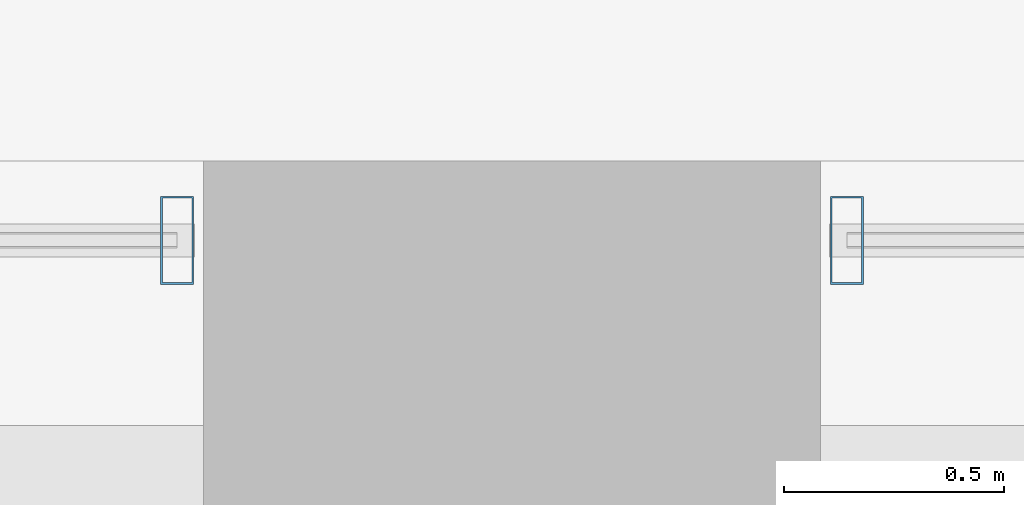
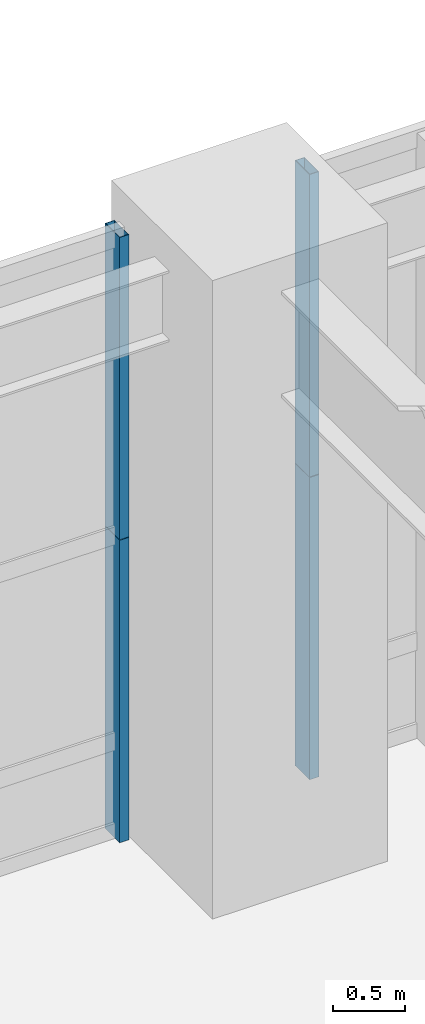
# One storey, part 16 of 32: 4 members, 2 elements without a shape of their own.
"""IFC4 building model written with IfcOpenShell, lengths in metres."""

from ifc_helpers import new_model, si_unit, direction, frame, origin, origin_2d, place, context, subcontext, project, spatial, hollow_rectangle, extrude, source, transform, mapped, material, layer, layer_set, material_profile, profile_set, type_object, element, aggregate, save


model = new_model("IFC4")

# Units and contexts
model_context = context("Model", 3, precision=1e-05, world=origin(), true_north=direction((0.0, 1.0)))
body_context = subcontext(model_context, "Body", "Model", "MODEL_VIEW")
ifc_project = project(units=[si_unit("LENGTHUNIT", "METRE"), si_unit("AREAUNIT", "SQUARE_METRE"), si_unit("VOLUMEUNIT", "CUBIC_METRE"), si_unit("PLANEANGLEUNIT", "RADIAN"), si_unit("MASSUNIT", "GRAM", prefix="KILO"), si_unit("THERMODYNAMICTEMPERATUREUNIT", "KELVIN"), si_unit("POWERUNIT", "WATT")], contexts=[model_context])

# Site, building, storey
site_placement = place(None, origin())
site = spatial("IfcSite", under=ifc_project, at=site_placement, CompositionType="ELEMENT")
building_placement = place(site_placement, origin())
building = spatial("IfcBuilding", under=site, at=building_placement, Name="Yuzanri Waterfront Tower", CompositionType="ELEMENT")
storey_placement = place(building_placement, origin())
storey = spatial("IfcBuildingStorey", under=building, at=storey_placement, Name="L01", CompositionType="ELEMENT", Elevation=0.0)

# Curtain wall, members
ifc_material_1 = material(Name="Anodized Architectural Bronze", Category="metal")
ifc_layer = layer(ifc_material_1, 0.159912109375)
ifc_layer_set = layer_set([ifc_layer], Name="Anodized Architectural Bronze")
curtain_wall_type = type_object("IfcCurtainWallType", Name="Anodized Bronze Podium Waterfront Double-Height Unitized Curtain Wall 8400", PredefinedType="NOTDEFINED", material=ifc_layer_set)
curtain_wall_1_placement = place(storey_placement, origin())
curtain_wall_1 = element("IfcCurtainWall", 1, at=curtain_wall_1_placement, inside=storey, type_object=curtain_wall_type, Name="L01 Curtain Wall CW-L01-N1", PredefinedType="NOTDEFINED")
ifc_material_2 = material(Name="Anodized Architectural Bronze", Category="metal")
ifc_material_profile = material_profile(ifc_material_2, hollow_rectangle(XDim=0.074951171875, YDim=0.199951171875, WallThickness=0.00390625, at=origin_2d()), Name="CWM 75x200")
ifc_profile_set = profile_set([ifc_material_profile], Name="Anodized Architectural Bronze")
member_type = type_object("IfcMemberType", Name="Anodized Bronze Primary Curtain-Wall Mullion 75x200", PredefinedType="MULLION", material=ifc_profile_set)
shared_shape = source(origin(), body_context, "Body", "SweptSolid", [
    extrude(hollow_rectangle(XDim=0.074951171875, YDim=0.199951171875, WallThickness=0.00390625, at=origin_2d()), origin(), (0.0, 0.0, 1.0), 2.55810546875),
])
member_1_placement = place(storey_placement, frame((36.239990234375, 49.6201171875, 0.0), z_axis=(0.0, 0.0, 1.0), x_axis=(1.0, 0.0, 0.0)))
member_1 = element("IfcMember", 2, at=member_1_placement, type_object=member_type, Name="CW-L01-N1 Lower Mullion 01", PredefinedType="MULLION", context=body_context, shape_type="MappedRepresentation", body=[
    mapped(shared_shape, transform((0.0, 0.0, 0.0), scale=1.0)),
])
member_2_placement = place(storey_placement, frame((36.239990234375, 49.6201171875, 2.56201171875), z_axis=(0.0, 0.0, 1.0), x_axis=(1.0, 0.0, 0.0)))
member_2 = element("IfcMember", 3, at=member_2_placement, type_object=member_type, Name="CW-L01-N1 Upper Mullion 01", PredefinedType="MULLION", context=body_context, shape_type="MappedRepresentation", body=[
    mapped(shared_shape, transform((0.0, 0.0, 0.0), scale=1.0)),
])
aggregate(curtain_wall_1, [member_1, member_2])

curtain_wall_2_placement = place(storey_placement, origin())
curtain_wall_2 = element("IfcCurtainWall", 4, at=curtain_wall_2_placement, inside=storey, type_object=curtain_wall_type, Name="L01 Curtain Wall CW-L01-N2", PredefinedType="NOTDEFINED")
member_3_placement = place(storey_placement, frame((37.760009765625, 49.6201171875, 0.0), z_axis=(0.0, 0.0, 1.0), x_axis=(1.0, 0.0, 0.0)))
member_3 = element("IfcMember", 5, at=member_3_placement, type_object=member_type, Name="CW-L01-N2 Lower Mullion 00", PredefinedType="MULLION", context=body_context, shape_type="MappedRepresentation", body=[
    mapped(shared_shape, transform((0.0, 0.0, 0.0), scale=1.0)),
])
member_4_placement = place(storey_placement, frame((37.760009765625, 49.6201171875, 2.56201171875), z_axis=(0.0, 0.0, 1.0), x_axis=(1.0, 0.0, 0.0)))
member_4 = element("IfcMember", 6, at=member_4_placement, type_object=member_type, Name="CW-L01-N2 Upper Mullion 00", PredefinedType="MULLION", context=body_context, shape_type="MappedRepresentation", body=[
    mapped(shared_shape, transform((0.0, 0.0, 0.0), scale=1.0)),
])
aggregate(curtain_wall_2, [member_3, member_4])

save(model, "model.ifc")
